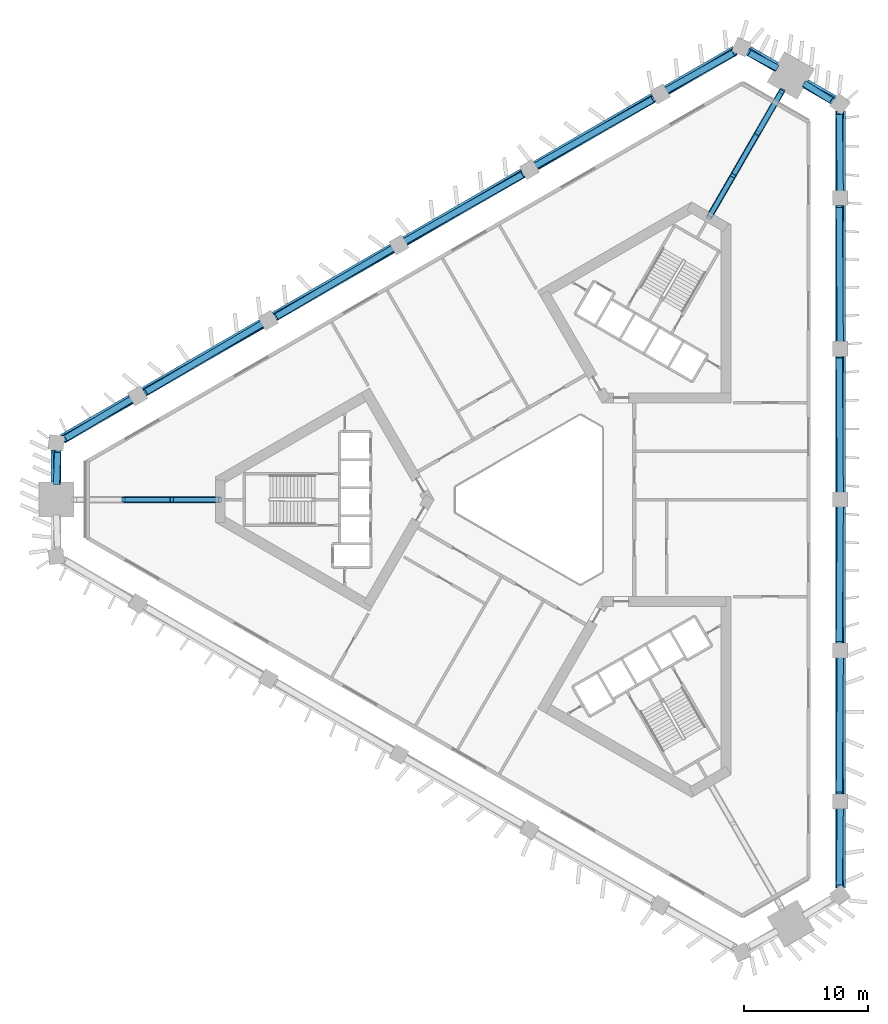
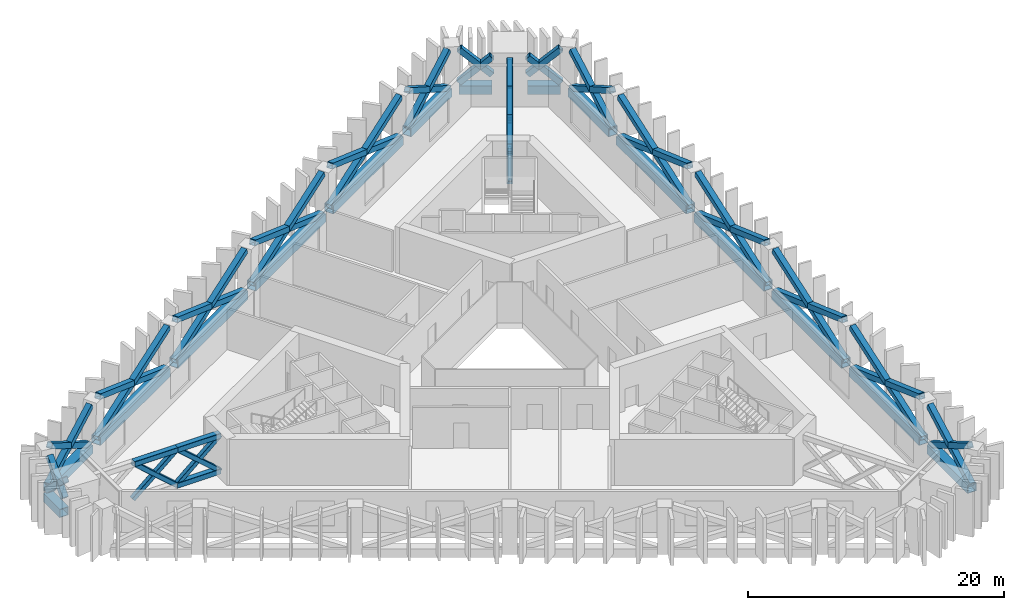
# One storey, part 2 of 9: 64 members.
"""IFC4 building model written with IfcOpenShell, lengths in metres."""

from ifc_helpers import new_model, si_unit, direction, frame, origin, origin_2d, place, context, subcontext, project, spatial, hollow_rectangle, extrude, material, material_profile, profile_set, type_object, element, save


model = new_model("IFC4")

# Units and contexts
model_context = context("Model", 3, precision=1e-05, world=origin(), true_north=direction((0.0, 1.0)))
body_context = subcontext(model_context, "Body", "Model", "MODEL_VIEW")
ifc_project = project(units=[si_unit("LENGTHUNIT", "METRE"), si_unit("AREAUNIT", "SQUARE_METRE"), si_unit("VOLUMEUNIT", "CUBIC_METRE"), si_unit("PLANEANGLEUNIT", "RADIAN"), si_unit("MASSUNIT", "GRAM", prefix="KILO")], contexts=[model_context])

# Site, building, storey
site_placement = place(None, origin())
site = spatial("IfcSite", under=ifc_project, at=site_placement, CompositionType="ELEMENT")
building_placement = place(site_placement, origin())
building = spatial("IfcBuilding", under=site, at=building_placement, Name="Jabali Bay Hotel Tower and Convention Centre", CompositionType="ELEMENT")
storey_placement = place(building_placement, frame((0.0, 0.0, 48.5)))
storey = spatial("IfcBuildingStorey", under=building, at=storey_placement, Name="L10", CompositionType="ELEMENT", Elevation=48.5)

# Members
ifc_material = material(Name="Steel Q420GJC", Category="steel")
ifc_material_profile_1 = material_profile(ifc_material, hollow_rectangle(XDim=0.5, YDim=0.5, WallThickness=0.030029296875, at=origin_2d()), Name="Belt brace 500x500x30")
ifc_profile_set_1 = profile_set([ifc_material_profile_1], Name="Steel Q420GJC")
member_type_1 = type_object("IfcMemberType", Name="Belt brace 500x500x30", PredefinedType="BRACE", material=ifc_profile_set_1)
member_1_placement = place(storey_placement, frame((93.47412109375, 114.79638671875, 1.347900390625), z_axis=(-0.635728069883, 0.338872486766, 0.693552635981), x_axis=(-0.470391012244, -0.882458098495, 0.0)))
element("IfcMember", 1, at=member_1_placement, inside=storey, type_object=member_type_1, Name="Belt brace T1 M1-V2 x1", PredefinedType="BRACE", context=body_context, shape_type="SweptSolid", body=[
    extrude(hollow_rectangle(XDim=0.5, YDim=0.5, WallThickness=0.030029296875, at=origin_2d()), origin(), (0.0, 0.0, 1.0), 3.567626953125),
])
member_2_placement = place(storey_placement, frame((91.251708984375, 116.11083984375, 0.575927734375), z_axis=(0.612214867322, -0.381577573764, 0.692525459049), x_axis=(0.528945170644, 0.848656000069, 0.0)))
element("IfcMember", 2, at=member_2_placement, inside=storey, type_object=member_type_1, Name="Belt brace T1 M1-V2 x2", PredefinedType="BRACE", context=body_context, shape_type="SweptSolid", body=[
    extrude(hollow_rectangle(XDim=0.5, YDim=0.5, WallThickness=0.030029296875, at=origin_2d()), origin(), (0.0, 0.0, 1.0), 3.5810546875),
])
member_3_placement = place(storey_placement, frame((90.2265625, 116.122314453125, 0.3447265625), z_axis=(-0.745785218424, -0.442199359333, 0.49826111085), x_axis=(0.510017964379, -0.860163749533, 0.0)))
element("IfcMember", 3, at=member_3_placement, inside=storey, type_object=member_type_1, Name="Belt brace T1 V2-F1.1 x1", PredefinedType="BRACE", context=body_context, shape_type="SweptSolid", body=[
    extrude(hollow_rectangle(XDim=0.5, YDim=0.5, WallThickness=0.030029296875, at=origin_2d()), origin(), (0.0, 0.0, 1.0), 7.44677734375),
])
member_4_placement = place(storey_placement, frame((84.716796875, 112.94091796875, 0.35498046875), z_axis=(0.750378398115, 0.421354925904, 0.509305690188), x_axis=(-0.489614149202, 0.871939209407, 0.0)))
element("IfcMember", 4, at=member_4_placement, inside=storey, type_object=member_type_1, Name="Belt brace T1 V2-F1.1 x2", PredefinedType="BRACE", context=body_context, shape_type="SweptSolid", body=[
    extrude(hollow_rectangle(XDim=0.5, YDim=0.5, WallThickness=0.030029296875, at=origin_2d()), origin(), (0.0, 0.0, 1.0), 7.2451171875),
])
member_5_placement = place(storey_placement, frame((83.67626953125, 112.343505859375, 0.216552734375), z_axis=(-0.811136939956, -0.476226126344, 0.339507792586), x_axis=(0.506298623163, -0.862358222656, 0.0)))
element("IfcMember", 5, at=member_5_placement, inside=storey, type_object=member_type_1, Name="Belt brace T1 F1.1-F1.2 x1", PredefinedType="BRACE", context=body_context, shape_type="SweptSolid", body=[
    extrude(hollow_rectangle(XDim=0.5, YDim=0.5, WallThickness=0.030029296875, at=origin_2d()), origin(), (0.0, 0.0, 1.0), 11.68408203125),
])
member_6_placement = place(storey_placement, frame((74.199462890625, 106.8720703125, 0.218994140625), z_axis=(0.816923611433, 0.463651920326, 0.343019984639), x_axis=(-0.493599539413, 0.869689309289, 0.0)))
element("IfcMember", 6, at=member_6_placement, inside=storey, type_object=member_type_1, Name="Belt brace T1 F1.1-F1.2 x2", PredefinedType="BRACE", context=body_context, shape_type="SweptSolid", body=[
    extrude(hollow_rectangle(XDim=0.5, YDim=0.5, WallThickness=0.030029296875, at=origin_2d()), origin(), (0.0, 0.0, 1.0), 11.550048828125),
])
member_7_placement = place(storey_placement, frame((73.160400390625, 106.27197265625, 0.217529296875), z_axis=(-0.810763586578, -0.476037554586, 0.340662080812), x_axis=(0.506322848509, -0.86234399927, 0.0)))
element("IfcMember", 7, at=member_7_placement, inside=storey, type_object=member_type_1, Name="Belt brace T1 F1.2-F1.3 x1", PredefinedType="BRACE", context=body_context, shape_type="SweptSolid", body=[
    extrude(hollow_rectangle(XDim=0.5, YDim=0.5, WallThickness=0.030029296875, at=origin_2d()), origin(), (0.0, 0.0, 1.0), 11.639404296875),
])
for number, where, z_axis, x_axis, name in (
    (8, (63.68359375, 100.800537109375, 0.21826171875), (0.817284589181, 0.463894388217, 0.341830216436), (-0.493629794654, 0.869672136975, 0.0), "Belt brace T1 F1.2-F1.3 x2"),
    (9, (62.644287109375, 100.20068359375, 0.21826171875), (-0.810378896683, -0.475854926107, 0.34183056199), (0.506357064976, -0.862323908255, 0.0), "Belt brace T1 F1.3-F1.4 x1"),
):
    element("IfcMember", number, at=place(storey_placement, frame(where, z_axis=z_axis, x_axis=x_axis)), inside=storey, type_object=member_type_1, Name=name, PredefinedType="BRACE", context=body_context, shape_type="SweptSolid", body=[
        extrude(hollow_rectangle(XDim=0.5, YDim=0.5, WallThickness=0.030029296875, at=origin_2d()), origin(), (0.0, 0.0, 1.0), 11.594482421875),
    ])
member_8_placement = place(storey_placement, frame((53.16748046875, 94.729248046875, 0.217529296875), z_axis=(0.81764262067, 0.464122989856, 0.340661701914), x_axis=(-0.493650212477, 0.86966054741, 0.0)))
element("IfcMember", 10, at=member_8_placement, inside=storey, type_object=member_type_1, Name="Belt brace T1 F1.3-F1.4 x2", PredefinedType="BRACE", context=body_context, shape_type="SweptSolid", body=[
    extrude(hollow_rectangle(XDim=0.5, YDim=0.5, WallThickness=0.030029296875, at=origin_2d()), origin(), (0.0, 0.0, 1.0), 11.639404296875),
])
member_9_placement = place(storey_placement, frame((52.12841796875, 94.129150390625, 0.218994140625), z_axis=(-0.809999496498, -0.475642188679, 0.343023795124), x_axis=(0.506365018153, -0.862319238096, 0.0)))
element("IfcMember", 11, at=member_9_placement, inside=storey, type_object=member_type_1, Name="Belt brace T1 F1.4-F1.5 x1", PredefinedType="BRACE", context=body_context, shape_type="SweptSolid", body=[
    extrude(hollow_rectangle(XDim=0.5, YDim=0.5, WallThickness=0.030029296875, at=origin_2d()), origin(), (0.0, 0.0, 1.0), 11.550048828125),
])
member_10_placement = place(storey_placement, frame((42.651611328125, 88.657958984375, 0.216552734375), z_axis=(0.817989743402, 0.464357066126, 0.339507429709), x_axis=(-0.493679992533, 0.869643642518, 0.0)))
element("IfcMember", 12, at=member_10_placement, inside=storey, type_object=member_type_1, Name="Belt brace T1 F1.4-F1.5 x2", PredefinedType="BRACE", context=body_context, shape_type="SweptSolid", body=[
    extrude(hollow_rectangle(XDim=0.5, YDim=0.5, WallThickness=0.030029296875, at=origin_2d()), origin(), (0.0, 0.0, 1.0), 11.68408203125),
])
member_11_placement = place(storey_placement, frame((41.61376953125, 88.055419921875, 0.35498046875), z_axis=(-0.740088515822, -0.439160073681, 0.509320545858), x_axis=(0.510308932749, -0.859991158766, 0.0)))
element("IfcMember", 13, at=member_11_placement, inside=storey, type_object=member_type_1, Name="Belt brace T1 F1.5-V3 x1", PredefinedType="BRACE", context=body_context, shape_type="SweptSolid", body=[
    extrude(hollow_rectangle(XDim=0.5, YDim=0.5, WallThickness=0.030029296875, at=origin_2d()), origin(), (0.0, 0.0, 1.0), 7.244873046875),
])
member_12_placement = place(storey_placement, frame((36.10400390625, 84.87451171875, 0.3447265625), z_axis=(0.755828241138, 0.42479684742, 0.498268309569), x_axis=(-0.489948826437, 0.871751195854, 0.0)))
element("IfcMember", 14, at=member_12_placement, inside=storey, type_object=member_type_1, Name="Belt brace T1 F1.5-V3 x2", PredefinedType="BRACE", context=body_context, shape_type="SweptSolid", body=[
    extrude(hollow_rectangle(XDim=0.5, YDim=0.5, WallThickness=0.030029296875, at=origin_2d()), origin(), (0.0, 0.0, 1.0), 7.44677734375),
])
member_13_placement = place(storey_placement, frame((35.60107421875, 83.98095703125, 0.575927734375), z_axis=(0.024407239149, -0.720968027947, 0.692538366703), x_axis=(0.99942746478, 0.033834045616, 0.0)))
element("IfcMember", 15, at=member_13_placement, inside=storey, type_object=member_type_1, Name="Belt brace T1 V3-M0 x1", PredefinedType="BRACE", context=body_context, shape_type="SweptSolid", body=[
    extrude(hollow_rectangle(XDim=0.5, YDim=0.5, WallThickness=0.030029296875, at=origin_2d()), origin(), (0.0, 0.0, 1.0), 3.5810546875),
])
member_14_placement = place(storey_placement, frame((35.62841796875, 81.399169921875, 1.347900390625), z_axis=(0.024430453605, 0.719979838586, 0.693564838329), x_axis=(-0.999424801743, 0.033912618023, 0.0)))
element("IfcMember", 16, at=member_14_placement, inside=storey, type_object=member_type_1, Name="Belt brace T1 V3-M0 x2", PredefinedType="BRACE", context=body_context, shape_type="SweptSolid", body=[
    extrude(hollow_rectangle(XDim=0.5, YDim=0.5, WallThickness=0.030029296875, at=origin_2d()), origin(), (0.0, 0.0, 1.0), 3.567626953125),
])
member_15_placement = place(storey_placement, frame((98.66943359375, 48.752197265625, 0.3447265625), z_axis=(-0.010032204673, 0.866966079649, 0.498266165425), x_axis=(-0.999933055493, -0.011570848396, 0.0)))
element("IfcMember", 17, at=member_15_placement, inside=storey, type_object=member_type_1, Name="Belt brace T1 V0-F0.1 x1", PredefinedType="BRACE", context=body_context, shape_type="SweptSolid", body=[
    extrude(hollow_rectangle(XDim=0.5, YDim=0.5, WallThickness=0.030029296875, at=origin_2d()), origin(), (0.0, 0.0, 1.0), 7.44677734375),
])
member_16_placement = place(storey_placement, frame((98.66943359375, 55.114501953125, 0.35498046875), z_axis=(-0.010311362571, -0.860527012991, 0.509300437575), x_axis=(0.999928216217, -0.011981753305, 0.0)))
element("IfcMember", 18, at=member_16_placement, inside=storey, type_object=member_type_1, Name="Belt brace T1 V0-F0.1 x2", PredefinedType="BRACE", context=body_context, shape_type="SweptSolid", body=[
    extrude(hollow_rectangle(XDim=0.5, YDim=0.5, WallThickness=0.030029296875, at=origin_2d()), origin(), (0.0, 0.0, 1.0), 7.2451171875),
])
member_17_placement = place(storey_placement, frame((98.672119140625, 56.314453125, 0.216552734375), z_axis=(-0.006853642825, 0.940578896674, 0.339506062851), x_axis=(-0.999973453627, -0.007286428506, 0.0)))
element("IfcMember", 19, at=member_17_placement, inside=storey, type_object=member_type_1, Name="Belt brace T1 F0.1-F0.2 x1", PredefinedType="BRACE", context=body_context, shape_type="SweptSolid", body=[
    extrude(hollow_rectangle(XDim=0.5, YDim=0.5, WallThickness=0.030029296875, at=origin_2d()), origin(), (0.0, 0.0, 1.0), 11.68408203125),
])
member_18_placement = place(storey_placement, frame((98.672119140625, 67.25732421875, 0.218994140625), z_axis=(-0.006933064351, -0.93930339516, 0.343017586225), x_axis=(0.999972761014, -0.007380869202, 0.0)))
element("IfcMember", 20, at=member_18_placement, inside=storey, type_object=member_type_1, Name="Belt brace T1 F0.1-F0.2 x2", PredefinedType="BRACE", context=body_context, shape_type="SweptSolid", body=[
    extrude(hollow_rectangle(XDim=0.5, YDim=0.5, WallThickness=0.030029296875, at=origin_2d()), origin(), (0.0, 0.0, 1.0), 11.55029296875),
])
member_19_placement = place(storey_placement, frame((98.672119140625, 68.457275390625, 0.217529296875), z_axis=(-0.006880076409, 0.940158246074, 0.340668661442), x_axis=(-0.999973224526, -0.007317802317, 0.0)))
element("IfcMember", 21, at=member_19_placement, inside=storey, type_object=member_type_1, Name="Belt brace T1 F0.2-F0.3 x1", PredefinedType="BRACE", context=body_context, shape_type="SweptSolid", body=[
    extrude(hollow_rectangle(XDim=0.5, YDim=0.5, WallThickness=0.030029296875, at=origin_2d()), origin(), (0.0, 0.0, 1.0), 11.63916015625),
])
for number, where, z_axis, x_axis, name in (
    (22, (98.672119140625, 79.39990234375, 0.21826171875), (-0.006906567331, -0.939735345811, 0.341832969681), (0.999972993657, -0.007349282796, 0.0), "Belt brace T1 F0.2-F0.3 x2"),
    (23, (98.672119140625, 80.60009765625, 0.21826171875), (-0.006906567331, 0.939735345811, 0.341832969681), (-0.999972993657, -0.007349282796, 0.0), "Belt brace T1 F0.3-F0.4 x1"),
):
    element("IfcMember", number, at=place(storey_placement, frame(where, z_axis=z_axis, x_axis=x_axis)), inside=storey, type_object=member_type_1, Name=name, PredefinedType="BRACE", context=body_context, shape_type="SweptSolid", body=[
        extrude(hollow_rectangle(XDim=0.5, YDim=0.5, WallThickness=0.030029296875, at=origin_2d()), origin(), (0.0, 0.0, 1.0), 11.594482421875),
    ])
member_20_placement = place(storey_placement, frame((98.672119140625, 91.542724609375, 0.217529296875), z_axis=(-0.006880076409, -0.940158246074, 0.340668661442), x_axis=(0.999973224526, -0.007317802317, 0.0)))
element("IfcMember", 24, at=member_20_placement, inside=storey, type_object=member_type_1, Name="Belt brace T1 F0.3-F0.4 x2", PredefinedType="BRACE", context=body_context, shape_type="SweptSolid", body=[
    extrude(hollow_rectangle(XDim=0.5, YDim=0.5, WallThickness=0.030029296875, at=origin_2d()), origin(), (0.0, 0.0, 1.0), 11.63916015625),
])
member_21_placement = place(storey_placement, frame((98.672119140625, 92.74267578125, 0.218994140625), z_axis=(-0.006933064351, 0.93930339516, 0.343017586225), x_axis=(-0.999972761014, -0.007380869202, 0.0)))
element("IfcMember", 25, at=member_21_placement, inside=storey, type_object=member_type_1, Name="Belt brace T1 F0.4-F0.5 x1", PredefinedType="BRACE", context=body_context, shape_type="SweptSolid", body=[
    extrude(hollow_rectangle(XDim=0.5, YDim=0.5, WallThickness=0.030029296875, at=origin_2d()), origin(), (0.0, 0.0, 1.0), 11.55029296875),
])
member_22_placement = place(storey_placement, frame((98.672119140625, 103.685546875, 0.216552734375), z_axis=(-0.006853642825, -0.940578896674, 0.339506062851), x_axis=(0.999973453627, -0.007286428506, 0.0)))
element("IfcMember", 26, at=member_22_placement, inside=storey, type_object=member_type_1, Name="Belt brace T1 F0.4-F0.5 x2", PredefinedType="BRACE", context=body_context, shape_type="SweptSolid", body=[
    extrude(hollow_rectangle(XDim=0.5, YDim=0.5, WallThickness=0.030029296875, at=origin_2d()), origin(), (0.0, 0.0, 1.0), 11.68408203125),
])
member_23_placement = place(storey_placement, frame((98.66943359375, 104.885498046875, 0.35498046875), z_axis=(-0.010311362571, 0.860527012991, 0.509300437575), x_axis=(-0.999928216217, -0.011981753305, 0.0)))
element("IfcMember", 27, at=member_23_placement, inside=storey, type_object=member_type_1, Name="Belt brace T1 F0.5-V1 x1", PredefinedType="BRACE", context=body_context, shape_type="SweptSolid", body=[
    extrude(hollow_rectangle(XDim=0.5, YDim=0.5, WallThickness=0.030029296875, at=origin_2d()), origin(), (0.0, 0.0, 1.0), 7.2451171875),
])
member_24_placement = place(storey_placement, frame((98.66943359375, 111.247802734375, 0.3447265625), z_axis=(-0.010032204673, -0.866966079649, 0.498266165425), x_axis=(0.999933055493, -0.011570848396, 0.0)))
element("IfcMember", 28, at=member_24_placement, inside=storey, type_object=member_type_1, Name="Belt brace T1 F0.5-V1 x2", PredefinedType="BRACE", context=body_context, shape_type="SweptSolid", body=[
    extrude(hollow_rectangle(XDim=0.5, YDim=0.5, WallThickness=0.030029296875, at=origin_2d()), origin(), (0.0, 0.0, 1.0), 7.44677734375),
])
member_25_placement = place(storey_placement, frame((98.14697265625, 112.1298828125, 0.575927734375), z_axis=(-0.636563470661, 0.339382345181, 0.692536332331), x_axis=(-0.470460693666, -0.882420951539, 0.0)))
element("IfcMember", 29, at=member_25_placement, inside=storey, type_object=member_type_1, Name="Belt brace T1 V1-M1 x1", PredefinedType="BRACE", context=body_context, shape_type="SweptSolid", body=[
    extrude(hollow_rectangle(XDim=0.5, YDim=0.5, WallThickness=0.030029296875, at=origin_2d()), origin(), (0.0, 0.0, 1.0), 3.5810546875),
])
member_26_placement = place(storey_placement, frame((95.8974609375, 113.397216796875, 1.347900390625), z_axis=(0.61134521842, -0.381149861943, 0.693528518993), x_axis=(0.52905944986, 0.848584762127, 0.0)))
element("IfcMember", 30, at=member_26_placement, inside=storey, type_object=member_type_1, Name="Belt brace T1 V1-M1 x2", PredefinedType="BRACE", context=body_context, shape_type="SweptSolid", body=[
    extrude(hollow_rectangle(XDim=0.5, YDim=0.5, WallThickness=0.030029296875, at=origin_2d()), origin(), (0.0, 0.0, 1.0), 3.56787109375),
])
ifc_material_profile_2 = material_profile(ifc_material, hollow_rectangle(XDim=0.800048828125, YDim=0.800048828125, WallThickness=0.0400390625, at=origin_2d()), Name="Belt chord 800x800x40")
ifc_profile_set_2 = profile_set([ifc_material_profile_2], Name="Steel Q420GJC")
member_type_2 = type_object("IfcMemberType", Name="Belt chord 800x800x40", PredefinedType="CHORD", material=ifc_profile_set_2)
member_27_placement = place(storey_placement, frame((93.4970703125, 114.837890625, 0.0), z_axis=(-0.866028040503, 0.499995433041, 0.0), x_axis=(-0.499995433041, -0.866028040503, 0.0)))
element("IfcMember", 31, at=member_27_placement, inside=storey, type_object=member_type_2, Name="Belt chord T1 M1-V2", PredefinedType="CHORD", context=body_context, shape_type="SweptSolid", body=[
    extrude(hollow_rectangle(XDim=0.800048828125, YDim=0.800048828125, WallThickness=0.0400390625, at=origin_2d()), origin(), (0.0, 0.0, 1.0), 2.58056640625),
])
member_28_placement = place(storey_placement, frame((90.22314453125, 116.128173828125, 0.0), z_axis=(-0.866045645229, -0.499964939151, 0.0), x_axis=(0.499964939151, -0.866045645229, 0.0)))
element("IfcMember", 32, at=member_28_placement, inside=storey, type_object=member_type_2, Name="Belt chord T1 V2-F1.1", PredefinedType="CHORD", context=body_context, shape_type="SweptSolid", body=[
    extrude(hollow_rectangle(XDim=0.800048828125, YDim=0.800048828125, WallThickness=0.0400390625, at=origin_2d()), origin(), (0.0, 0.0, 1.0), 6.3623046875),
])
member_29_placement = place(storey_placement, frame((83.674072265625, 112.34716796875, 0.0), z_axis=(-0.866025455944, -0.499999909657, 0.0), x_axis=(0.499999909657, -0.866025455944, 0.0)))
element("IfcMember", 33, at=member_29_placement, inside=storey, type_object=member_type_2, Name="Belt chord T1 F1.1-F1.2", PredefinedType="CHORD", context=body_context, shape_type="SweptSolid", body=[
    extrude(hollow_rectangle(XDim=0.800048828125, YDim=0.800048828125, WallThickness=0.0400390625, at=origin_2d()), origin(), (0.0, 0.0, 1.0), 10.94287109375),
])
for number, where, z_axis, x_axis, name in (
    (34, (73.157958984375, 106.27587890625, 0.0), (-0.866019878167, -0.500009570528, 0.0), (0.500009570528, -0.866019878167, 0.0), "Belt chord T1 F1.2-F1.3"),
    (35, (62.64208984375, 100.204345703125, 0.0), (-0.866029539139, -0.499992837287, 0.0), (0.499992837287, -0.866029539139, 0.0), "Belt chord T1 F1.3-F1.4"),
):
    element("IfcMember", number, at=place(storey_placement, frame(where, z_axis=z_axis, x_axis=x_axis)), inside=storey, type_object=member_type_2, Name=name, PredefinedType="CHORD", context=body_context, shape_type="SweptSolid", body=[
        extrude(hollow_rectangle(XDim=0.800048828125, YDim=0.800048828125, WallThickness=0.0400390625, at=origin_2d()), origin(), (0.0, 0.0, 1.0), 10.942626953125),
    ])
member_30_placement = place(storey_placement, frame((52.126220703125, 94.133056640625, 0.0), z_axis=(-0.866025455944, -0.499999909657, 0.0), x_axis=(0.499999909657, -0.866025455944, 0.0)))
element("IfcMember", 36, at=member_30_placement, inside=storey, type_object=member_type_2, Name="Belt chord T1 F1.4-F1.5", PredefinedType="CHORD", context=body_context, shape_type="SweptSolid", body=[
    extrude(hollow_rectangle(XDim=0.800048828125, YDim=0.800048828125, WallThickness=0.0400390625, at=origin_2d()), origin(), (0.0, 0.0, 1.0), 10.94287109375),
])
member_31_placement = place(storey_placement, frame((41.6103515625, 88.061767578125, 0.0), z_axis=(-0.866019436383, -0.5000103357, 0.0), x_axis=(0.5000103357, -0.866019436383, 0.0)))
element("IfcMember", 37, at=member_31_placement, inside=storey, type_object=member_type_2, Name="Belt chord T1 F1.5-V3", PredefinedType="CHORD", context=body_context, shape_type="SweptSolid", body=[
    extrude(hollow_rectangle(XDim=0.800048828125, YDim=0.800048828125, WallThickness=0.0400390625, at=origin_2d()), origin(), (0.0, 0.0, 1.0), 6.362060546875),
])
member_32_placement = place(storey_placement, frame((35.580810546875, 83.980712890625, 0.0), z_axis=(0.0, -1.0, 0.0), x_axis=(1.0, 0.0, 0.0)))
element("IfcMember", 38, at=member_32_placement, inside=storey, type_object=member_type_2, Name="Belt chord T1 V3-M0", PredefinedType="CHORD", context=body_context, shape_type="SweptSolid", body=[
    extrude(hollow_rectangle(XDim=0.800048828125, YDim=0.800048828125, WallThickness=0.0400390625, at=origin_2d()), origin(), (0.0, 0.0, 1.0), 2.580810546875),
])
member_33_placement = place(storey_placement, frame((98.676513671875, 48.75244140625, 0.0), z_axis=(0.0, 1.0, 0.0), x_axis=(-1.0, 0.0, 0.0)))
element("IfcMember", 39, at=member_33_placement, inside=storey, type_object=member_type_2, Name="Belt chord T1 V0-F0.1", PredefinedType="CHORD", context=body_context, shape_type="SweptSolid", body=[
    extrude(hollow_rectangle(XDim=0.800048828125, YDim=0.800048828125, WallThickness=0.0400390625, at=origin_2d()), origin(), (0.0, 0.0, 1.0), 6.362060546875),
])
member_34_placement = place(storey_placement, frame((98.676513671875, 56.314453125, 0.0), z_axis=(0.0, 1.0, 0.0), x_axis=(-1.0, 0.0, 0.0)))
element("IfcMember", 40, at=member_34_placement, inside=storey, type_object=member_type_2, Name="Belt chord T1 F0.1-F0.2", PredefinedType="CHORD", context=body_context, shape_type="SweptSolid", body=[
    extrude(hollow_rectangle(XDim=0.800048828125, YDim=0.800048828125, WallThickness=0.0400390625, at=origin_2d()), origin(), (0.0, 0.0, 1.0), 10.94287109375),
])
for number, where, z_axis, x_axis, name in (
    (41, (98.676513671875, 68.457275390625, 0.0), (0.0, 1.0, 0.0), (-1.0, 0.0, 0.0), "Belt chord T1 F0.2-F0.3"),
    (42, (98.676513671875, 80.60009765625, 0.0), (0.0, 1.0, 0.0), (-1.0, 0.0, 0.0), "Belt chord T1 F0.3-F0.4"),
):
    element("IfcMember", number, at=place(storey_placement, frame(where, z_axis=z_axis, x_axis=x_axis)), inside=storey, type_object=member_type_2, Name=name, PredefinedType="CHORD", context=body_context, shape_type="SweptSolid", body=[
        extrude(hollow_rectangle(XDim=0.800048828125, YDim=0.800048828125, WallThickness=0.0400390625, at=origin_2d()), origin(), (0.0, 0.0, 1.0), 10.942626953125),
    ])
member_35_placement = place(storey_placement, frame((98.676513671875, 92.74267578125, 0.0), z_axis=(0.0, 1.0, 0.0), x_axis=(-1.0, 0.0, 0.0)))
element("IfcMember", 43, at=member_35_placement, inside=storey, type_object=member_type_2, Name="Belt chord T1 F0.4-F0.5", PredefinedType="CHORD", context=body_context, shape_type="SweptSolid", body=[
    extrude(hollow_rectangle(XDim=0.800048828125, YDim=0.800048828125, WallThickness=0.0400390625, at=origin_2d()), origin(), (0.0, 0.0, 1.0), 10.94287109375),
])
member_36_placement = place(storey_placement, frame((98.676513671875, 104.885498046875, 0.0), z_axis=(0.0, 1.0, 0.0), x_axis=(-1.0, 0.0, 0.0)))
element("IfcMember", 44, at=member_36_placement, inside=storey, type_object=member_type_2, Name="Belt chord T1 F0.5-V1", PredefinedType="CHORD", context=body_context, shape_type="SweptSolid", body=[
    extrude(hollow_rectangle(XDim=0.800048828125, YDim=0.800048828125, WallThickness=0.0400390625, at=origin_2d()), origin(), (0.0, 0.0, 1.0), 6.362060546875),
])
member_37_placement = place(storey_placement, frame((98.156982421875, 112.147705078125, 0.0), z_axis=(-0.866028040503, 0.499995433041, 0.0), x_axis=(-0.499995433041, -0.866028040503, 0.0)))
element("IfcMember", 45, at=member_37_placement, inside=storey, type_object=member_type_2, Name="Belt chord T1 V1-M1", PredefinedType="CHORD", context=body_context, shape_type="SweptSolid", body=[
    extrude(hollow_rectangle(XDim=0.800048828125, YDim=0.800048828125, WallThickness=0.0400390625, at=origin_2d()), origin(), (0.0, 0.0, 1.0), 2.58056640625),
])
ifc_material_profile_3 = material_profile(ifc_material, hollow_rectangle(XDim=0.39990234375, YDim=0.39990234375, WallThickness=0.011962890625, InnerFilletRadius=0.01806640625, OuterFilletRadius=0.030029296875, at=origin_2d()), Name="Outrigger brace 400x400x12")
ifc_profile_set_3 = profile_set([ifc_material_profile_3], Name="Steel Q420GJC")
member_type_3 = type_object("IfcMemberType", Name="Outrigger brace 400x400x12", PredefinedType="BRACE", material=ifc_profile_set_3)
member_38_placement = place(storey_placement, frame((48.796875, 80.0, 0.25), z_axis=(-0.753427209271, 0.0, 0.657531322699), x_axis=(0.0, -1.0, 0.0)))
element("IfcMember", 46, at=member_38_placement, inside=storey, type_object=member_type_3, Name="Outrigger brace T1 1.1x1", PredefinedType="BRACE", context=body_context, shape_type="SweptSolid", body=[
    extrude(hollow_rectangle(XDim=0.39990234375, YDim=0.39990234375, WallThickness=0.011962890625, InnerFilletRadius=0.01806640625, OuterFilletRadius=0.030029296875, at=origin_2d()), origin(), (0.0, 0.0, 1.0), 5.170654296875),
])
member_39_placement = place(storey_placement, frame((44.861083984375, 80.0, 0.25), z_axis=(0.756745951581, 0.0, 0.65370908267), x_axis=(0.0, 1.0, 0.0)))
element("IfcMember", 47, at=member_39_placement, inside=storey, type_object=member_type_3, Name="Outrigger brace T1 1.1x2", PredefinedType="BRACE", context=body_context, shape_type="SweptSolid", body=[
    extrude(hollow_rectangle(XDim=0.39990234375, YDim=0.39990234375, WallThickness=0.011962890625, InnerFilletRadius=0.01806640625, OuterFilletRadius=0.030029296875, at=origin_2d()), origin(), (0.0, 0.0, 1.0), 5.200927734375),
])
member_40_placement = place(storey_placement, frame((44.861083984375, 80.0, 0.25), z_axis=(-0.750049870172, 0.0, 0.661381276009), x_axis=(0.0, -1.0, 0.0)))
element("IfcMember", 48, at=member_40_placement, inside=storey, type_object=member_type_3, Name="Outrigger brace T1 1.2x1", PredefinedType="BRACE", context=body_context, shape_type="SweptSolid", body=[
    extrude(hollow_rectangle(XDim=0.39990234375, YDim=0.39990234375, WallThickness=0.011962890625, InnerFilletRadius=0.01806640625, OuterFilletRadius=0.030029296875, at=origin_2d()), origin(), (0.0, 0.0, 1.0), 5.140625),
])
member_41_placement = place(storey_placement, frame((40.925537109375, 80.0, 0.25), z_axis=(0.759987481981, 0.0, 0.649937710271), x_axis=(0.0, 1.0, 0.0)))
element("IfcMember", 49, at=member_41_placement, inside=storey, type_object=member_type_3, Name="Outrigger brace T1 1.2x2", PredefinedType="BRACE", context=body_context, shape_type="SweptSolid", body=[
    extrude(hollow_rectangle(XDim=0.39990234375, YDim=0.39990234375, WallThickness=0.011962890625, InnerFilletRadius=0.01806640625, OuterFilletRadius=0.030029296875, at=origin_2d()), origin(), (0.0, 0.0, 1.0), 5.231201171875),
])
member_42_placement = place(storey_placement, frame((88.1015625, 102.692626953125, 0.25), z_axis=(0.376735804627, 0.652476762018, 0.657528865175), x_axis=(-0.866009213151, 0.500028041952, 0.0)))
element("IfcMember", 50, at=member_42_placement, inside=storey, type_object=member_type_3, Name="Outrigger brace T1 2.1x1", PredefinedType="BRACE", context=body_context, shape_type="SweptSolid", body=[
    extrude(hollow_rectangle(XDim=0.39990234375, YDim=0.39990234375, WallThickness=0.011962890625, InnerFilletRadius=0.01806640625, OuterFilletRadius=0.030029296875, at=origin_2d()), origin(), (0.0, 0.0, 1.0), 5.170654296875),
])
member_43_placement = place(storey_placement, frame((90.0693359375, 106.10107421875, 0.25), z_axis=(-0.378355140911, -0.655361801769, 0.653718820388), x_axis=(0.866035801656, -0.499981989925, 0.0)))
element("IfcMember", 51, at=member_43_placement, inside=storey, type_object=member_type_3, Name="Outrigger brace T1 2.1x2", PredefinedType="BRACE", context=body_context, shape_type="SweptSolid", body=[
    extrude(hollow_rectangle(XDim=0.39990234375, YDim=0.39990234375, WallThickness=0.011962890625, InnerFilletRadius=0.01806640625, OuterFilletRadius=0.030029296875, at=origin_2d()), origin(), (0.0, 0.0, 1.0), 5.200927734375),
])
member_44_placement = place(storey_placement, frame((90.0693359375, 106.10107421875, 0.25), z_axis=(0.375046951853, 0.64955263524, 0.661378226099), x_axis=(-0.86600949093, 0.500027560859, 0.0)))
element("IfcMember", 52, at=member_44_placement, inside=storey, type_object=member_type_3, Name="Outrigger brace T1 2.2x1", PredefinedType="BRACE", context=body_context, shape_type="SweptSolid", body=[
    extrude(hollow_rectangle(XDim=0.39990234375, YDim=0.39990234375, WallThickness=0.011962890625, InnerFilletRadius=0.01806640625, OuterFilletRadius=0.030029296875, at=origin_2d()), origin(), (0.0, 0.0, 1.0), 5.140625),
])
member_45_placement = place(storey_placement, frame((92.037353515625, 109.509521484375, 0.25), z_axis=(-0.379986243592, -0.658185457305, 0.649924886793), x_axis=(0.866035264566, -0.499982920237, 0.0)))
element("IfcMember", 53, at=member_45_placement, inside=storey, type_object=member_type_3, Name="Outrigger brace T1 2.2x2", PredefinedType="BRACE", context=body_context, shape_type="SweptSolid", body=[
    extrude(hollow_rectangle(XDim=0.39990234375, YDim=0.39990234375, WallThickness=0.011962890625, InnerFilletRadius=0.01806640625, OuterFilletRadius=0.030029296875, at=origin_2d()), origin(), (0.0, 0.0, 1.0), 5.231201171875),
])
member_46_placement = place(storey_placement, frame((92.037353515625, 109.509521484375, 0.25), z_axis=(0.373316715274, 0.646604613942, 0.665234622765), x_axis=(-0.866025770688, 0.499999364504, 0.0)))
element("IfcMember", 54, at=member_46_placement, inside=storey, type_object=member_type_3, Name="Outrigger brace T1 2.3x1", PredefinedType="BRACE", context=body_context, shape_type="SweptSolid", body=[
    extrude(hollow_rectangle(XDim=0.39990234375, YDim=0.39990234375, WallThickness=0.011962890625, InnerFilletRadius=0.01806640625, OuterFilletRadius=0.030029296875, at=origin_2d()), origin(), (0.0, 0.0, 1.0), 5.11083984375),
])
member_47_placement = place(storey_placement, frame((94.005126953125, 112.91796875, 0.25), z_axis=(-0.381589137518, -0.660960270421, 0.646158843516), x_axis=(0.866034738183, -0.499983831999, 0.0)))
element("IfcMember", 55, at=member_47_placement, inside=storey, type_object=member_type_3, Name="Outrigger brace T1 2.3x2", PredefinedType="BRACE", context=body_context, shape_type="SweptSolid", body=[
    extrude(hollow_rectangle(XDim=0.39990234375, YDim=0.39990234375, WallThickness=0.011962890625, InnerFilletRadius=0.01806640625, OuterFilletRadius=0.030029296875, at=origin_2d()), origin(), (0.0, 0.0, 1.0), 5.26171875),
])
ifc_material_profile_4 = material_profile(ifc_material, hollow_rectangle(XDim=0.5, YDim=0.5, WallThickness=0.01611328125, InnerFilletRadius=0.02392578125, OuterFilletRadius=0.0400390625, at=origin_2d()), Name="Outrigger chord 500x500x16")
ifc_profile_set_4 = profile_set([ifc_material_profile_4], Name="Steel Q420GJC")
member_type_4 = type_object("IfcMemberType", Name="Outrigger chord 500x500x16", PredefinedType="CHORD", material=ifc_profile_set_4)
member_48_placement = place(storey_placement, frame((48.796875, 80.0, 0.25), z_axis=(-1.0, 0.0, 0.0), x_axis=(0.0, -1.0, 0.0)))
element("IfcMember", 56, at=member_48_placement, inside=storey, type_object=member_type_4, Name="Outrigger chord T1 1.lo1", PredefinedType="CHORD", context=body_context, shape_type="SweptSolid", body=[
    extrude(hollow_rectangle(XDim=0.5, YDim=0.5, WallThickness=0.01611328125, InnerFilletRadius=0.02392578125, OuterFilletRadius=0.0400390625, at=origin_2d()), origin(), (0.0, 0.0, 1.0), 3.935791015625),
])
for number, where, z_axis, x_axis, name in (
    (57, (48.796875, 80.0, 3.64990234375), (-1.0, 0.0, 0.0), (0.0, -1.0, 0.0), "Outrigger chord T1 1.hi1"),
    (58, (44.901123046875, 80.0, 3.64990234375), (-1.0, 0.0, 0.0), (0.0, -1.0, 0.0), "Outrigger chord T1 1.hi2"),
):
    element("IfcMember", number, at=place(storey_placement, frame(where, z_axis=z_axis, x_axis=x_axis)), inside=storey, type_object=member_type_4, Name=name, PredefinedType="CHORD", context=body_context, shape_type="SweptSolid", body=[
        extrude(hollow_rectangle(XDim=0.5, YDim=0.5, WallThickness=0.01611328125, InnerFilletRadius=0.02392578125, OuterFilletRadius=0.0400390625, at=origin_2d()), origin(), (0.0, 0.0, 1.0), 3.895751953125),
    ])
for number, where, z_axis, x_axis, name in (
    (59, (88.1015625, 102.692626953125, 0.25), (0.499981989925, 0.866035801656, 0.0), (-0.866035801656, 0.499981989925, 0.0), "Outrigger chord T1 2.lo1"),
    (60, (90.0693359375, 106.10107421875, 0.25), (0.500028513257, 0.866008941022, 0.0), (-0.866008941022, 0.500028513257, 0.0), "Outrigger chord T1 2.lo2"),
    (61, (92.037353515625, 109.509521484375, 0.25), (0.499981989925, 0.866035801656, 0.0), (-0.866035801656, 0.499981989925, 0.0), "Outrigger chord T1 2.lo3"),
):
    element("IfcMember", number, at=place(storey_placement, frame(where, z_axis=z_axis, x_axis=x_axis)), inside=storey, type_object=member_type_4, Name=name, PredefinedType="CHORD", context=body_context, shape_type="SweptSolid", body=[
        extrude(hollow_rectangle(XDim=0.5, YDim=0.5, WallThickness=0.01611328125, InnerFilletRadius=0.02392578125, OuterFilletRadius=0.0400390625, at=origin_2d()), origin(), (0.0, 0.0, 1.0), 3.935791015625),
    ])
for number, where, z_axis, x_axis, name in (
    (62, (88.1015625, 102.692626953125, 3.64990234375), (0.500028041952, 0.866009213151, 0.0), (-0.866009213151, 0.500028041952, 0.0), "Outrigger chord T1 2.hi1"),
    (63, (90.049560546875, 106.06640625, 3.64990234375), (0.499981040493, 0.866036349784, 0.0), (-0.866036349784, 0.499981040493, 0.0), "Outrigger chord T1 2.hi2"),
):
    element("IfcMember", number, at=place(storey_placement, frame(where, z_axis=z_axis, x_axis=x_axis)), inside=storey, type_object=member_type_4, Name=name, PredefinedType="CHORD", context=body_context, shape_type="SweptSolid", body=[
        extrude(hollow_rectangle(XDim=0.5, YDim=0.5, WallThickness=0.01611328125, InnerFilletRadius=0.02392578125, OuterFilletRadius=0.0400390625, at=origin_2d()), origin(), (0.0, 0.0, 1.0), 3.895751953125),
    ])
member_49_placement = place(storey_placement, frame((91.997314453125, 109.440185546875, 3.64990234375), z_axis=(0.500000906121, 0.866024880635, 0.0), x_axis=(-0.866024880635, 0.500000906121, 0.0)))
element("IfcMember", 64, at=member_49_placement, inside=storey, type_object=member_type_4, Name="Outrigger chord T1 2.hi3", PredefinedType="CHORD", context=body_context, shape_type="SweptSolid", body=[
    extrude(hollow_rectangle(XDim=0.5, YDim=0.5, WallThickness=0.01611328125, InnerFilletRadius=0.02392578125, OuterFilletRadius=0.0400390625, at=origin_2d()), origin(), (0.0, 0.0, 1.0), 3.89599609375),
])

save(model, "model.ifc")
